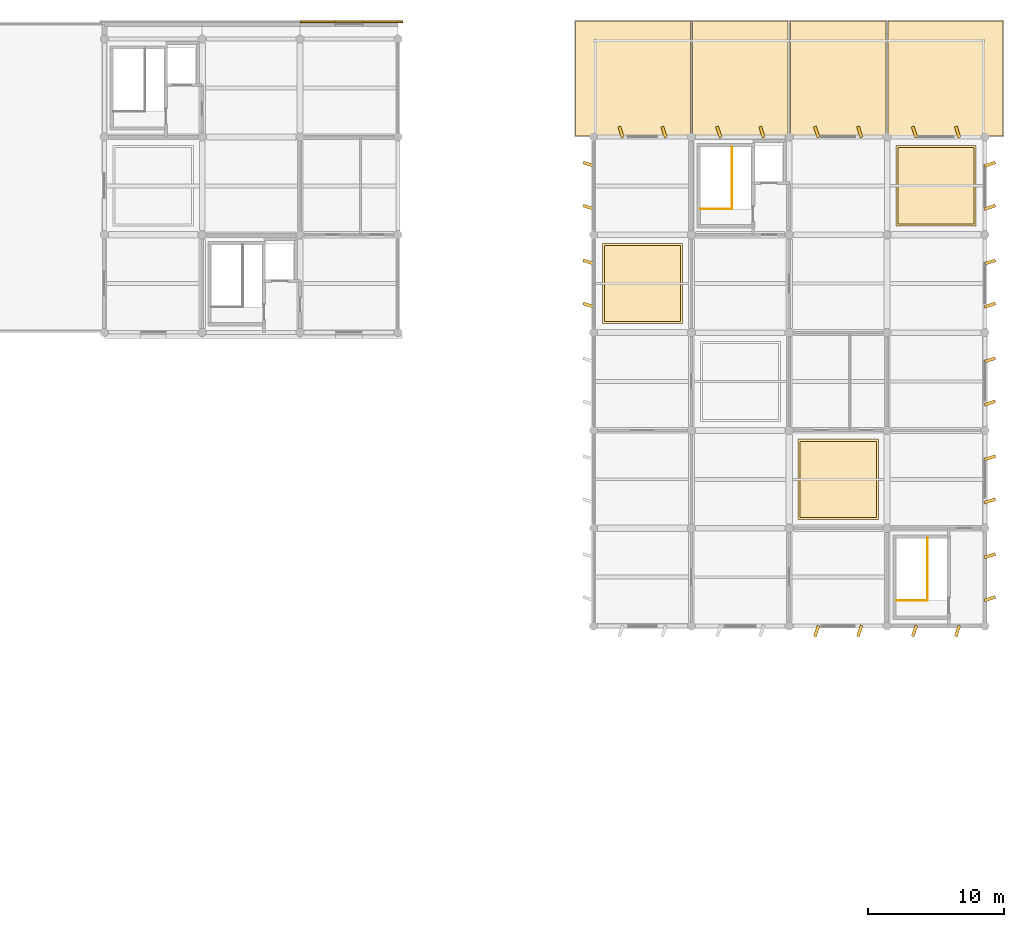
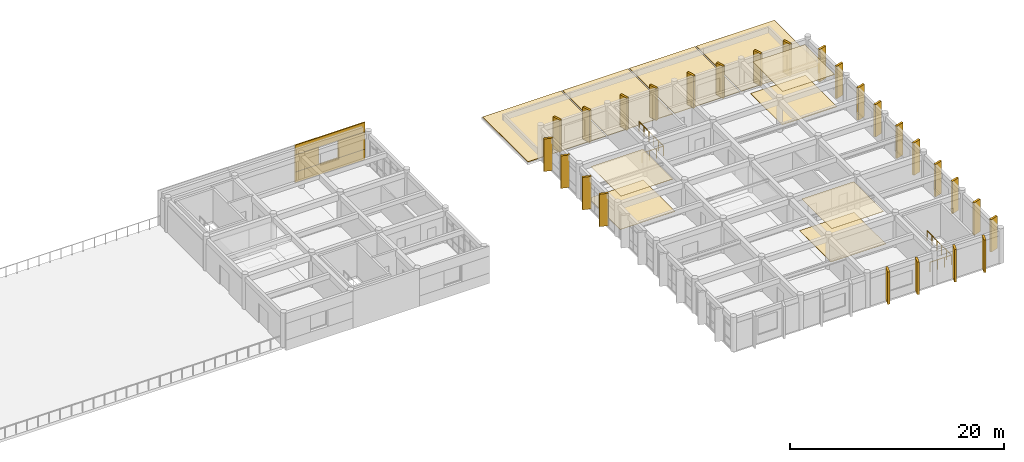
# One storey, part 16 of 16: 40 coverings, 2 railings.
"""IFC4 building model written with IfcOpenShell, lengths in metres."""

from ifc_helpers import new_model, si_unit, direction, frame, origin, origin_2d, place, context, subcontext, project, spatial, polyline, rectangle, circle, outline, extrude, material, layer, layer_set, type_object, element, save


model = new_model("IFC4")

# Units and contexts
model_context = context("Model", 3, precision=1e-05, world=origin(), true_north=direction((0.0, 1.0)))
body_context = subcontext(model_context, "Body", "Model", "MODEL_VIEW")
ifc_project = project(units=[si_unit("LENGTHUNIT", "METRE"), si_unit("AREAUNIT", "SQUARE_METRE"), si_unit("VOLUMEUNIT", "CUBIC_METRE"), si_unit("PLANEANGLEUNIT", "RADIAN"), si_unit("MASSUNIT", "GRAM", prefix="KILO")], contexts=[model_context])

# Site, building, storey
site_placement = place(None, origin())
site = spatial("IfcSite", under=ifc_project, at=site_placement, CompositionType="ELEMENT")
building_placement = place(site_placement, origin())
building = spatial("IfcBuilding", under=site, at=building_placement, Name="Kavelor Marine Aquarium", CompositionType="ELEMENT")
storey_placement = place(building_placement, frame((0.0, 0.0, 21.60009765625)))
storey = spatial("IfcBuildingStorey", under=building, at=storey_placement, Name="L05", CompositionType="ELEMENT", Elevation=21.60009765625)

# Coverings
ifc_material_1 = material(Name="Moisture-Resistant Acoustic Mineral-Fibre Ceiling")
ifc_layer_1 = layer(ifc_material_1, 0.0400390625)
ifc_layer_set_1 = layer_set([ifc_layer_1], Name="COV-CE1")
covering_type_1 = type_object("IfcCoveringType", Name="COV-CE1", PredefinedType="CEILING", material=ifc_layer_set_1)
covering_1_placement = place(storey_placement, frame((0.0, 0.0, 3.639892578125)))
element("IfcCovering", 1, at=covering_1_placement, inside=storey, type_object=covering_type_1, Name="ceil:L05:16_12", PredefinedType="CEILING", context=body_context, shape_type="SweptSolid", body=[
    extrude(outline(polyline([(119.199951171875, 90.0), (124.800048828125, 90.0), (124.800048828125, 95.60009765625), (119.199951171875, 95.60009765625), (119.199951171875, 90.0)])), origin(), (0.0, 0.0, 1.0), 0.0400390625),
])
covering_2_placement = place(storey_placement, frame((0.0, 0.0, 3.639892578125)))
element("IfcCovering", 2, at=covering_2_placement, inside=storey, type_object=covering_type_1, Name="ceil:L05:18_10", PredefinedType="CEILING", context=body_context, shape_type="SweptSolid", body=[
    extrude(outline(polyline([(133.60009765625, 75.60009765625), (139.199951171875, 75.60009765625), (139.199951171875, 81.199951171875), (133.60009765625, 81.199951171875), (133.60009765625, 75.60009765625)])), origin(), (0.0, 0.0, 1.0), 0.0400390625),
])
covering_3_placement = place(storey_placement, frame((0.0, 0.0, 3.639892578125)))
element("IfcCovering", 3, at=covering_3_placement, inside=storey, type_object=covering_type_1, Name="ceil:L05:19_13", PredefinedType="CEILING", context=body_context, shape_type="SweptSolid", body=[
    extrude(outline(polyline([(140.800048828125, 97.199951171875), (146.39990234375, 97.199951171875), (146.39990234375, 102.800048828125), (140.800048828125, 102.800048828125), (140.800048828125, 97.199951171875)])), origin(), (0.0, 0.0, 1.0), 0.0400390625),
])
ifc_material_2 = material(Name="Precast Concrete C45/55 Coastal Brise-Soleil Fin", Category="concrete")
ifc_layer_2 = layer(ifc_material_2, 0.219970703125)
ifc_layer_set_2 = layer_set([ifc_layer_2], Name="COV-CL1")
covering_type_2 = type_object("IfcCoveringType", Name="COV-CL1", PredefinedType="CLADDING", material=ifc_layer_set_2)
for number, where, z_axis, x_axis, name in (
    (4, (147.56005859375, 69.615966796875, 0.0), (0.0, 0.0, 1.0), (0.951056516295, 0.309016994375, 0.0), "fin:y:L05:20_09:0"),
    (5, (147.56005859375, 72.783935546875, 0.0), (0.0, 0.0, 1.0), (0.951056516295, 0.309016994375, 0.0), "fin:y:L05:20_09:1"),
    (6, (147.56005859375, 76.81591796875, 0.0), (0.0, 0.0, 1.0), (0.951056516295, 0.309016994375, 0.0), "fin:y:L05:20_10:0"),
    (7, (147.56005859375, 79.98388671875, 0.0), (0.0, 0.0, 1.0), (0.951056516295, 0.309016994375, 0.0), "fin:y:L05:20_10:1"),
    (8, (147.56005859375, 84.01611328125, 0.0), (0.0, 0.0, 1.0), (0.951056516295, 0.309016994375, 0.0), "fin:y:L05:20_11:0"),
    (9, (147.56005859375, 87.18408203125, 0.0), (0.0, 0.0, 1.0), (0.951056516295, 0.309016994375, 0.0), "fin:y:L05:20_11:1"),
    (10, (118.0400390625, 91.216064453125, 0.0), (0.0, 0.0, 1.0), (0.951056516295, -0.309016994375, 0.0), "fin:y:L05:16_12:0"),
    (11, (118.0400390625, 94.384033203125, 0.0), (0.0, 0.0, 1.0), (0.951056516295, -0.309016994375, 0.0), "fin:y:L05:16_12:1"),
    (12, (147.56005859375, 91.216064453125, 0.0), (0.0, 0.0, 1.0), (0.951056516295, 0.309016994375, 0.0), "fin:y:L05:20_12:0"),
    (13, (147.56005859375, 94.384033203125, 0.0), (0.0, 0.0, 1.0), (0.951056516295, 0.309016994375, 0.0), "fin:y:L05:20_12:1"),
    (14, (118.0400390625, 98.416015625, 0.0), (0.0, 0.0, 1.0), (0.951056516295, -0.309016994375, 0.0), "fin:y:L05:16_13:0"),
    (15, (118.0400390625, 101.583984375, 0.0), (0.0, 0.0, 1.0), (0.951056516295, -0.309016994375, 0.0), "fin:y:L05:16_13:1"),
    (16, (147.56005859375, 98.416015625, 0.0), (0.0, 0.0, 1.0), (0.951056516295, 0.309016994375, 0.0), "fin:y:L05:20_13:0"),
    (17, (147.56005859375, 101.583984375, 0.0), (0.0, 0.0, 1.0), (0.951056516295, 0.309016994375, 0.0), "fin:y:L05:20_13:1"),
):
    element("IfcCovering", number, at=place(storey_placement, frame(where, z_axis=z_axis, x_axis=x_axis)), inside=storey, type_object=covering_type_2, Name=name, PredefinedType="CLADDING", context=body_context, shape_type="SweptSolid", body=[
        extrude(rectangle(XDim=0.85009765625, YDim=0.219970703125, at=origin_2d()), origin(), (0.0, 0.0, 1.0), 3.699951171875),
    ])
for number, where, z_axis, x_axis, name in (
    (18, (120.416015625, 103.9599609375, 0.0), (0.0, 0.0, 1.0), (0.951056516295, 0.309016994375, 0.0), "fin:x:L05:16_14:0"),
    (19, (123.583984375, 103.9599609375, 0.0), (0.0, 0.0, 1.0), (0.951056516295, 0.309016994375, 0.0), "fin:x:L05:16_14:1"),
    (20, (127.615966796875, 103.9599609375, 0.0), (0.0, 0.0, 1.0), (0.951056516295, 0.309016994375, 0.0), "fin:x:L05:17_14:0"),
    (21, (130.783935546875, 103.9599609375, 0.0), (0.0, 0.0, 1.0), (0.951056516295, 0.309016994375, 0.0), "fin:x:L05:17_14:1"),
    (22, (134.81591796875, 67.239990234375, 0.0), (0.0, 0.0, 1.0), (0.951056516295, -0.309016994375, 0.0), "fin:x:L05:18_09:0"),
    (23, (137.98388671875, 67.239990234375, 0.0), (0.0, 0.0, 1.0), (0.951056516295, -0.309016994375, 0.0), "fin:x:L05:18_09:1"),
    (24, (134.81591796875, 103.9599609375, 0.0), (0.0, 0.0, 1.0), (0.951056516295, 0.309016994375, 0.0), "fin:x:L05:18_14:0"),
    (25, (137.98388671875, 103.9599609375, 0.0), (0.0, 0.0, 1.0), (0.951056516295, 0.309016994375, 0.0), "fin:x:L05:18_14:1"),
    (26, (142.01611328125, 67.239990234375, 0.0), (0.0, 0.0, 1.0), (0.951056516295, -0.309016994375, 0.0), "fin:x:L05:19_09:0"),
    (27, (145.18408203125, 67.239990234375, 0.0), (0.0, 0.0, 1.0), (0.951056516295, -0.309016994375, 0.0), "fin:x:L05:19_09:1"),
    (28, (142.01611328125, 103.9599609375, 0.0), (0.0, 0.0, 1.0), (0.951056516295, 0.309016994375, 0.0), "fin:x:L05:19_14:0"),
    (29, (145.18408203125, 103.9599609375, 0.0), (0.0, 0.0, 1.0), (0.951056516295, 0.309016994375, 0.0), "fin:x:L05:19_14:1"),
):
    element("IfcCovering", number, at=place(storey_placement, frame(where, z_axis=z_axis, x_axis=x_axis)), inside=storey, type_object=covering_type_2, Name=name, PredefinedType="CLADDING", context=body_context, shape_type="SweptSolid", body=[
        extrude(rectangle(XDim=0.219970703125, YDim=0.85009765625, at=origin_2d()), origin(), (0.0, 0.0, 1.0), 3.699951171875),
    ])
ifc_material_3 = material(Name="Polished Coastal Terrazzo Flooring")
ifc_layer_3 = layer(ifc_material_3, 0.030029296875)
ifc_layer_set_3 = layer_set([ifc_layer_3], Name="COV-FL1")
covering_type_3 = type_object("IfcCoveringType", Name="COV-FL1", PredefinedType="FLOORING", material=ifc_layer_set_3)
covering_4_placement = place(storey_placement, origin())
element("IfcCovering", 30, at=covering_4_placement, inside=storey, type_object=covering_type_3, Name="flr:L05:16_12", PredefinedType="FLOORING", context=body_context, shape_type="SweptSolid", body=[
    extrude(outline(polyline([(119.050048828125, 89.85009765625), (124.949951171875, 89.85009765625), (124.949951171875, 95.75), (119.050048828125, 95.75), (119.050048828125, 89.85009765625)])), origin(), (0.0, 0.0, 1.0), 0.02978515625),
])
covering_5_placement = place(storey_placement, origin())
element("IfcCovering", 31, at=covering_5_placement, inside=storey, type_object=covering_type_3, Name="flr:L05:18_10", PredefinedType="FLOORING", context=body_context, shape_type="SweptSolid", body=[
    extrude(outline(polyline([(133.449951171875, 75.449951171875), (139.35009765625, 75.449951171875), (139.35009765625, 81.35009765625), (133.449951171875, 81.35009765625), (133.449951171875, 75.449951171875)])), origin(), (0.0, 0.0, 1.0), 0.02978515625),
])
covering_6_placement = place(storey_placement, origin())
element("IfcCovering", 32, at=covering_6_placement, inside=storey, type_object=covering_type_3, Name="flr:L05:19_13", PredefinedType="FLOORING", context=body_context, shape_type="SweptSolid", body=[
    extrude(outline(polyline([(140.64990234375, 97.050048828125), (146.550048828125, 97.050048828125), (146.550048828125, 102.949951171875), (140.64990234375, 102.949951171875), (140.64990234375, 97.050048828125)])), origin(), (0.0, 0.0, 1.0), 0.02978515625),
])
ifc_material_4 = material(Name="TPO Reflective Waterproof Roofing Membrane")
ifc_layer_4 = layer(ifc_material_4, 0.06005859375)
ifc_layer_set_4 = layer_set([ifc_layer_4], Name="COV-RF1")
covering_type_4 = type_object("IfcCoveringType", Name="COV-RF1", PredefinedType="ROOFING", material=ifc_layer_set_4)
covering_7_placement = place(storey_placement, origin())
element("IfcCovering", 33, at=covering_7_placement, inside=storey, type_object=covering_type_4, Name="rcov:L05:16_14", PredefinedType="ROOFING", context=body_context, shape_type="SweptSolid", body=[
    extrude(outline(polyline([(117.080078125, 103.679931640625), (125.52001953125, 103.679931640625), (125.52001953125, 112.1201171875), (117.080078125, 112.1201171875), (117.080078125, 103.679931640625)])), origin(), (0.0, 0.0, 1.0), 0.059814453125),
])
covering_8_placement = place(storey_placement, origin())
element("IfcCovering", 34, at=covering_8_placement, inside=storey, type_object=covering_type_4, Name="rcov:L05:17_14", PredefinedType="ROOFING", context=body_context, shape_type="SweptSolid", body=[
    extrude(outline(polyline([(125.679931640625, 103.679931640625), (132.719970703125, 103.679931640625), (132.719970703125, 112.1201171875), (125.679931640625, 112.1201171875), (125.679931640625, 103.679931640625)])), origin(), (0.0, 0.0, 1.0), 0.059814453125),
])
covering_9_placement = place(storey_placement, origin())
element("IfcCovering", 35, at=covering_9_placement, inside=storey, type_object=covering_type_4, Name="rcov:L05:18_14", PredefinedType="ROOFING", context=body_context, shape_type="SweptSolid", body=[
    extrude(outline(polyline([(132.8798828125, 103.679931640625), (139.919921875, 103.679931640625), (139.919921875, 112.1201171875), (132.8798828125, 112.1201171875), (132.8798828125, 103.679931640625)])), origin(), (0.0, 0.0, 1.0), 0.059814453125),
])
covering_10_placement = place(storey_placement, origin())
element("IfcCovering", 36, at=covering_10_placement, inside=storey, type_object=covering_type_4, Name="rcov:L05:19_14", PredefinedType="ROOFING", context=body_context, shape_type="SweptSolid", body=[
    extrude(outline(polyline([(140.080078125, 103.679931640625), (148.52001953125, 103.679931640625), (148.52001953125, 112.1201171875), (140.080078125, 112.1201171875), (140.080078125, 103.679931640625)])), origin(), (0.0, 0.0, 1.0), 0.059814453125),
])
ifc_material_5 = material(Name="Smooth White Marine Aluminium Composite Cladding", Category="aluminium")
ifc_layer_5 = layer(ifc_material_5, 0.10009765625)
ifc_layer_set_5 = layer_set([ifc_layer_5], Name="COV-WM1")
covering_type_5 = type_object("IfcCoveringType", Name="COV-WM1", PredefinedType="CLADDING", material=ifc_layer_set_5)
covering_11_placement = place(storey_placement, frame((0.0, 0.0, -0.280029296875)))
element("IfcCovering", 37, at=covering_11_placement, inside=storey, type_object=covering_type_5, Name="wmc:x:L05:13_15:sill", PredefinedType="CLADDING", context=body_context, shape_type="SweptSolid", body=[
    extrude(outline(polyline([(96.800048828125, 112.010009765625), (104.35009765625, 112.010009765625), (104.35009765625, 112.1298828125), (96.800048828125, 112.1298828125), (96.800048828125, 112.010009765625)])), origin(), (0.0, 0.0, 1.0), 1.18994140625),
])
covering_12_placement = place(storey_placement, frame((0.0, 0.0, 2.889892578125)))
element("IfcCovering", 38, at=covering_12_placement, inside=storey, type_object=covering_type_5, Name="wmc:x:L05:13_15:head", PredefinedType="CLADDING", context=body_context, shape_type="SweptSolid", body=[
    extrude(outline(polyline([(96.800048828125, 112.010009765625), (104.35009765625, 112.010009765625), (104.35009765625, 112.1298828125), (96.800048828125, 112.1298828125), (96.800048828125, 112.010009765625)])), origin(), (0.0, 0.0, 1.0), 1.070068359375),
])
covering_13_placement = place(storey_placement, frame((0.0, 0.0, 0.909912109375)))
element("IfcCovering", 39, at=covering_13_placement, inside=storey, type_object=covering_type_5, Name="wmc:x:L05:13_15:left", PredefinedType="CLADDING", context=body_context, shape_type="SweptSolid", body=[
    extrude(outline(polyline([(96.800048828125, 112.010009765625), (99.360107421875, 112.010009765625), (99.360107421875, 112.1298828125), (96.800048828125, 112.1298828125), (96.800048828125, 112.010009765625)])), origin(), (0.0, 0.0, 1.0), 1.97998046875),
])
covering_14_placement = place(storey_placement, frame((0.0, 0.0, 0.909912109375)))
element("IfcCovering", 40, at=covering_14_placement, inside=storey, type_object=covering_type_5, Name="wmc:x:L05:13_15:right", PredefinedType="CLADDING", context=body_context, shape_type="SweptSolid", body=[
    extrude(outline(polyline([(101.43994140625, 112.010009765625), (104.35009765625, 112.010009765625), (104.35009765625, 112.1298828125), (101.43994140625, 112.1298828125), (101.43994140625, 112.010009765625)])), origin(), (0.0, 0.0, 1.0), 1.97998046875),
])

# Railings
ifc_material_6 = material(Name="Brushed Stainless Steel Stair Guardrail", Category="steel")
railing_type = type_object("IfcRailingType", Name="RL-SG1", PredefinedType="GUARDRAIL", material=ifc_material_6)
for number, where, name in (
    (41, (126.280029296875, 98.280029296875, 0.0), "Stairwell Guardrail ST10-W"),
    (42, (140.679931640625, 69.47998046875, 0.0), "Stairwell Guardrail ST11-W"),
):
    element("IfcRailing", number, at=place(storey_placement, frame(where)), inside=storey, type_object=railing_type, Name=name, PredefinedType="GUARDRAIL", context=body_context, shape_type="SweptSolid", body=[
        extrude(circle(Radius=0.0224609375, at=origin_2d()), frame((0.0, 0.0, 1.09765625), z_axis=(1.0, 0.0, 0.0), x_axis=(0.0, 1.0, 0.0)), (0.0, 0.0, 1.0), 2.300048828125),
        extrude(circle(Radius=0.0224609375, at=origin_2d()), frame((2.300048828125, 0.0, 1.09765625), z_axis=(0.0, 1.0, 0.0), x_axis=(-1.0, 0.0, 0.0)), (0.0, 0.0, 1.0), 4.590087890625),
        extrude(circle(Radius=0.02099609375, at=origin_2d()), origin(), (0.0, 0.0, 1.0), 1.0751953125),
        extrude(circle(Radius=0.02099609375, at=origin_2d()), frame((0.7666015625, 0.0, 0.0)), (0.0, 0.0, 1.0), 1.0751953125),
        extrude(circle(Radius=0.02099609375, at=origin_2d()), frame((1.533447265625, 0.0, 0.0)), (0.0, 0.0, 1.0), 1.0751953125),
        extrude(circle(Radius=0.02099609375, at=origin_2d()), frame((2.300048828125, 0.0, 0.0)), (0.0, 0.0, 1.0), 1.0751953125),
        extrude(circle(Radius=0.02099609375, at=origin_2d()), frame((2.300048828125, 0.91796875, 0.0)), (0.0, 0.0, 1.0), 1.0751953125),
        extrude(circle(Radius=0.02099609375, at=origin_2d()), frame((2.300048828125, 1.8359375, 0.0)), (0.0, 0.0, 1.0), 1.0751953125),
        extrude(circle(Radius=0.02099609375, at=origin_2d()), frame((2.300048828125, 2.754150390625, 0.0)), (0.0, 0.0, 1.0), 1.0751953125),
        extrude(circle(Radius=0.02099609375, at=origin_2d()), frame((2.300048828125, 3.672119140625, 0.0)), (0.0, 0.0, 1.0), 1.0751953125),
        extrude(circle(Radius=0.02099609375, at=origin_2d()), frame((2.300048828125, 4.590087890625, 0.0)), (0.0, 0.0, 1.0), 1.0751953125),
    ])

save(model, "model.ifc")
